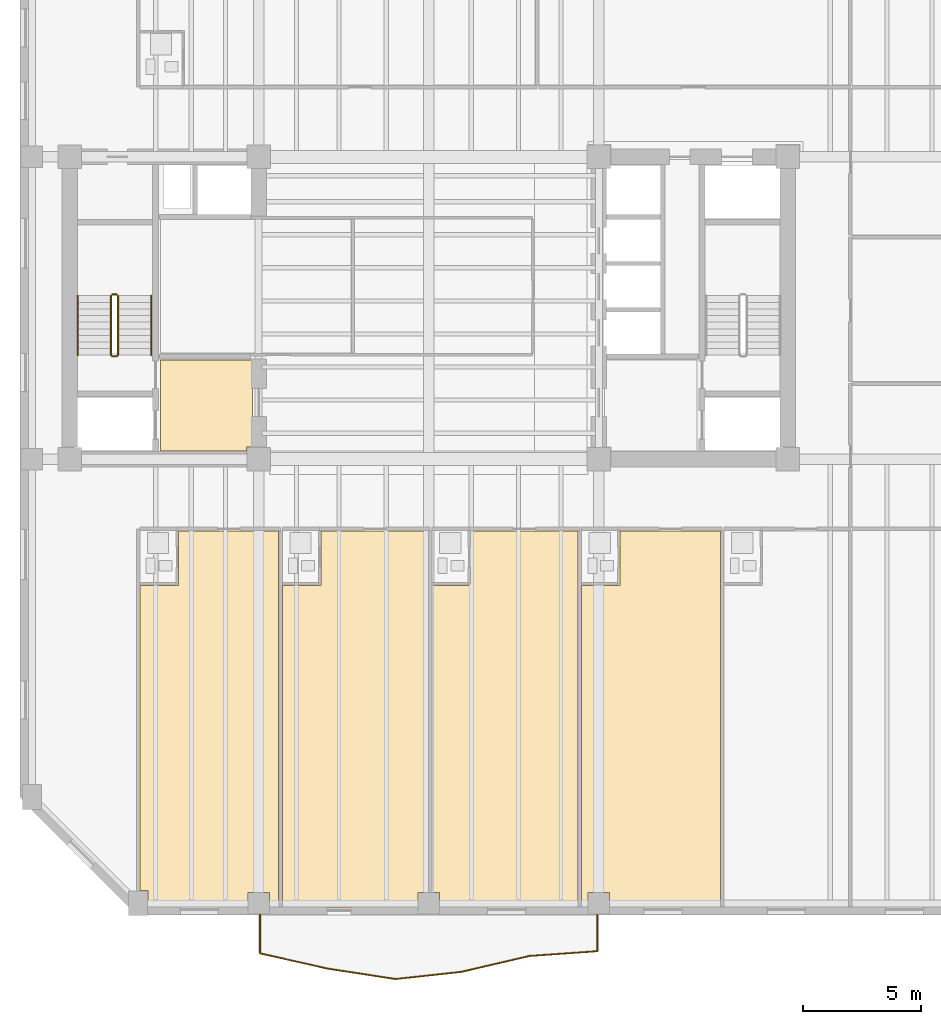
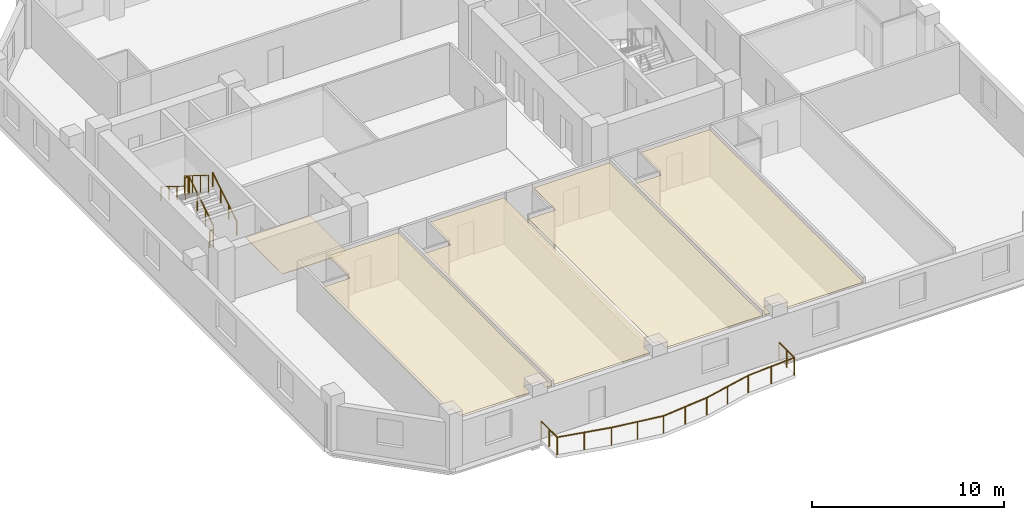
# One storey, part 7 of 10: 7 railings, 5 coverings.
"""IFC4 building model written with IfcOpenShell, lengths in metres."""

from ifc_helpers import new_model, si_unit, direction, frame, origin, origin_2d, place, context, subcontext, project, spatial, polyline, circle, outline, extrude, material, layer, layer_set, type_object, element, save


model = new_model("IFC4")

# Units and contexts
model_context = context("Model", 3, precision=1e-05, world=origin(), true_north=direction((0.0, 1.0)))
body_context = subcontext(model_context, "Body", "Model", "MODEL_VIEW")
ifc_project = project(units=[si_unit("LENGTHUNIT", "METRE"), si_unit("AREAUNIT", "SQUARE_METRE"), si_unit("VOLUMEUNIT", "CUBIC_METRE"), si_unit("PLANEANGLEUNIT", "RADIAN"), si_unit("MASSUNIT", "GRAM", prefix="KILO")], contexts=[model_context])

# Site, building, storey
site_placement = place(None, origin())
site = spatial("IfcSite", under=ifc_project, at=site_placement, CompositionType="ELEMENT")
building_placement = place(site_placement, origin())
building = spatial("IfcBuilding", under=site, at=building_placement, Name="Kranthara Brick Stack", CompositionType="ELEMENT")
storey_placement = place(building_placement, frame((0.0, 0.0, 151.800048828125)))
storey = spatial("IfcBuildingStorey", under=building, at=storey_placement, Name="L38", CompositionType="ELEMENT", Elevation=151.800048828125)

# Coverings
ifc_material_1 = material(Name="Perforated mineral-fibre acoustic ceiling tile", Category="other")
ifc_layer_1 = layer(ifc_material_1, 0.02490234375)
ifc_layer_set_1 = layer_set([ifc_layer_1], Name="Perforated mineral-fibre acoustic ceiling tile")
covering_type_1 = type_object("IfcCoveringType", Name="COV-CEIL-ACOUSTIC", PredefinedType="CEILING", material=ifc_layer_set_1)
covering_1_placement = place(storey_placement, frame((0.0, 0.0, 2.929931640625)))
element("IfcCovering", 1, at=covering_1_placement, inside=storey, type_object=covering_type_1, Name="L38 Room L38-01 Corner Junior Suite Acoustic Ceiling", PredefinedType="CEILING", context=body_context, shape_type="SweptSolid", body=[
    extrude(outline(polyline([(17.409912109375, 15.4599609375), (17.409912109375, 17.77001953125), (21.64990234375, 17.77001953125), (21.64990234375, 1.800048828125), (21.260009765625, 1.800048828125), (21.260009765625, 2.4599609375), (20.340087890625, 2.4599609375), (20.340087890625, 1.800048828125), (16.110107421875, 1.800048828125), (16.110107421875, 2.534912109375), (15.780029296875, 2.534912109375), (15.780029296875, 15.4599609375), (17.409912109375, 15.4599609375)])), origin(), (0.0, 0.0, 1.0), 0.02490234375),
])
covering_2_placement = place(storey_placement, frame((0.0, 0.0, 2.929931640625)))
element("IfcCovering", 2, at=covering_2_placement, inside=storey, type_object=covering_type_1, Name="L38 Room L38-02 Corner Junior Suite Acoustic Ceiling", PredefinedType="CEILING", context=body_context, shape_type="SweptSolid", body=[
    extrude(outline(polyline([(21.81005859375, 1.800048828125), (21.81005859375, 15.4599609375), (23.43994140625, 15.4599609375), (23.43994140625, 17.77001953125), (27.98095703125, 17.77001953125), (27.98095703125, 2.4599609375), (27.5400390625, 2.4599609375), (27.5400390625, 1.800048828125), (21.81005859375, 1.800048828125)])), origin(), (0.0, 0.0, 1.0), 0.02490234375),
])
covering_3_placement = place(storey_placement, frame((0.0, 0.0, 2.929931640625)))
element("IfcCovering", 3, at=covering_3_placement, inside=storey, type_object=covering_type_1, Name="L38 Room L38-03 Corner Junior Suite Acoustic Ceiling", PredefinedType="CEILING", context=body_context, shape_type="SweptSolid", body=[
    extrude(outline(polyline([(28.14111328125, 15.4599609375), (29.77099609375, 15.4599609375), (29.77099609375, 17.77001953125), (34.31298828125, 17.77001953125), (34.31298828125, 1.800048828125), (28.4599609375, 1.800048828125), (28.4599609375, 2.4599609375), (28.14111328125, 2.4599609375), (28.14111328125, 15.4599609375)])), origin(), (0.0, 0.0, 1.0), 0.02490234375),
])
covering_4_placement = place(storey_placement, frame((0.0, 0.0, 2.929931640625)))
element("IfcCovering", 4, at=covering_4_placement, inside=storey, type_object=covering_type_1, Name="L38 Room L38-04 Corner Junior Suite Acoustic Ceiling", PredefinedType="CEILING", context=body_context, shape_type="SweptSolid", body=[
    extrude(outline(polyline([(34.472900390625, 1.800048828125), (34.472900390625, 15.4599609375), (36.10302734375, 15.4599609375), (36.10302734375, 17.77001953125), (40.343017578125, 17.77001953125), (40.343017578125, 1.800048828125), (35.659912109375, 1.800048828125), (35.659912109375, 2.4599609375), (34.739990234375, 2.4599609375), (34.739990234375, 1.800048828125), (34.472900390625, 1.800048828125)])), origin(), (0.0, 0.0, 1.0), 0.02490234375),
])
ifc_material_2 = material(Name="Honed terrazzo and porcelain floor finish", Category="stone")
ifc_layer_2 = layer(ifc_material_2, 0.030029296875)
ifc_layer_set_2 = layer_set([ifc_layer_2], Name="Honed terrazzo and porcelain floor finish")
covering_type_2 = type_object("IfcCoveringType", Name="COV-FLOR-STONE", PredefinedType="FLOORING", material=ifc_layer_set_2)
covering_5_placement = place(storey_placement, origin())
element("IfcCovering", 5, at=covering_5_placement, inside=storey, type_object=covering_type_2, Name="L38 Lift Lobby Stone Flooring", PredefinedType="FLOORING", context=body_context, shape_type="SweptSolid", body=[
    extrude(outline(polyline([(16.64990234375, 21.14990234375), (16.64990234375, 25.0), (20.550048828125, 25.0), (20.550048828125, 21.31005859375), (20.2900390625, 21.31005859375), (20.2900390625, 21.14990234375), (16.64990234375, 21.14990234375)])), origin(), (0.0, 0.0, 1.0), 0.030029296875),
])

# Railings
ifc_material_3 = material(Name="Bronze anodised aluminium and laminated glass balustrade", Category="aluminium")
railing_type_1 = type_object("IfcRailingType", Name="RL-BALC-1120", PredefinedType="BALUSTRADE", material=ifc_material_3)
railing_1_placement = place(storey_placement, frame((35.139892578125, 1.56005859375, 0.0)))
element("IfcRailing", 6, at=railing_1_placement, inside=storey, type_object=railing_type_1, Name="L38 South Rippling Balcony Balustrade", PredefinedType="BALUSTRADE", context=body_context, shape_type="SweptSolid", body=[
    extrude(circle(Radius=0.02392578125, at=origin_2d()), frame((0.0, 0.0, 1.09619140625), z_axis=(0.0, -1.0, 0.0), x_axis=(1.0, 0.0, 0.0)), (0.0, 0.0, 1.0), 1.587646484375),
    extrude(circle(Radius=0.02392578125, at=origin_2d()), frame((0.0, -1.587646484375, 1.09619140625), z_axis=(-0.997527765398, -0.070273446342, 0.0), x_axis=(0.070273446342, -0.997527765398, 0.0)), (0.0, 0.0, 1.0), 2.886962890625),
    extrude(circle(Radius=0.02392578125, at=origin_2d()), frame((-2.8798828125, -1.79052734375, 1.09619140625), z_axis=(-0.973877847603, -0.227072538956, 0.0), x_axis=(0.227072538956, -0.973877847603, 0.0)), (0.0, 0.0, 1.0), 2.947998046875),
    extrude(circle(Radius=0.02392578125, at=origin_2d()), frame((-5.7509765625, -2.4599609375, 1.09619140625), z_axis=(-0.994002270541, -0.109359435625, 0.0), x_axis=(0.109359435625, -0.994002270541, 0.0)), (0.0, 0.0, 1.0), 2.799560546875),
    extrude(circle(Radius=0.02392578125, at=origin_2d()), frame((-8.53369140625, -2.76611328125, 1.09619140625), z_axis=(-0.988545236826, 0.15092486458, 0.0), x_axis=(-0.15092486458, -0.988545236826, 0.0)), (0.0, 0.0, 1.0), 2.900390625),
    extrude(circle(Radius=0.02392578125, at=origin_2d()), frame((-11.40087890625, -2.328369140625, 1.09619140625), z_axis=(-0.97547137921, 0.220126300888, 0.0), x_axis=(-0.220126300888, -0.97547137921, 0.0)), (0.0, 0.0, 1.0), 2.951416015625),
    extrude(circle(Radius=0.02392578125, at=origin_2d()), frame((-14.27978515625, -1.6787109375, 1.09619140625), z_axis=(0.0, 1.0, 0.0), x_axis=(-1.0, 0.0, 0.0)), (0.0, 0.0, 1.0), 1.6787109375),
    extrude(circle(Radius=0.02099609375, at=origin_2d()), origin(), (0.0, 0.0, 1.0), 1.072021484375),
    extrude(circle(Radius=0.02099609375, at=origin_2d()), frame((0.0, -0.7939453125, 0.0)), (0.0, 0.0, 1.0), 1.072021484375),
    extrude(circle(Radius=0.02099609375, at=origin_2d()), frame((0.0, -1.587646484375, 0.0)), (0.0, 0.0, 1.0), 1.072021484375),
    extrude(circle(Radius=0.02099609375, at=origin_2d()), frame((-1.43994140625, -1.68896484375, 0.0)), (0.0, 0.0, 1.0), 1.072021484375),
    extrude(circle(Radius=0.02099609375, at=origin_2d()), frame((-2.8798828125, -1.79052734375, 0.0)), (0.0, 0.0, 1.0), 1.072021484375),
    extrude(circle(Radius=0.02099609375, at=origin_2d()), frame((-4.3154296875, -2.125244140625, 0.0)), (0.0, 0.0, 1.0), 1.072021484375),
    extrude(circle(Radius=0.02099609375, at=origin_2d()), frame((-5.7509765625, -2.4599609375, 0.0)), (0.0, 0.0, 1.0), 1.072021484375),
    extrude(circle(Radius=0.02099609375, at=origin_2d()), frame((-7.142333984375, -2.613037109375, 0.0)), (0.0, 0.0, 1.0), 1.072021484375),
    extrude(circle(Radius=0.02099609375, at=origin_2d()), frame((-8.53369140625, -2.76611328125, 0.0)), (0.0, 0.0, 1.0), 1.072021484375),
    extrude(circle(Radius=0.02099609375, at=origin_2d()), frame((-9.96728515625, -2.54736328125, 0.0)), (0.0, 0.0, 1.0), 1.072021484375),
    extrude(circle(Radius=0.02099609375, at=origin_2d()), frame((-11.40087890625, -2.328369140625, 0.0)), (0.0, 0.0, 1.0), 1.072021484375),
    extrude(circle(Radius=0.02099609375, at=origin_2d()), frame((-12.84033203125, -2.00341796875, 0.0)), (0.0, 0.0, 1.0), 1.072021484375),
    extrude(circle(Radius=0.02099609375, at=origin_2d()), frame((-14.27978515625, -1.6787109375, 0.0)), (0.0, 0.0, 1.0), 1.072021484375),
    extrude(circle(Radius=0.02099609375, at=origin_2d()), frame((-14.27978515625, -0.83935546875, 0.0)), (0.0, 0.0, 1.0), 1.072021484375),
    extrude(circle(Radius=0.02099609375, at=origin_2d()), frame((-14.27978515625, 0.0, 0.0)), (0.0, 0.0, 1.0), 1.072021484375),
])
ifc_material_4 = material(Name="Painted galvanized steel stair guardrail", Category="steel")
railing_type_2 = type_object("IfcRailingType", Name="RL-STAIR-GUARD-1100", PredefinedType="GUARDRAIL", material=ifc_material_4)
railing_2_placement = place(storey_placement, frame((14.85009765625, 25.199951171875, 0.175048828125)))
element("IfcRailing", 7, at=railing_2_placement, inside=storey, type_object=railing_type_2, Name="L38 ST01 stair guard 1", PredefinedType="GUARDRAIL", context=body_context, shape_type="SweptSolid", body=[
    extrude(circle(Radius=0.02392578125, at=origin_2d()), frame((0.0, 0.0, 1.076171875), z_axis=(0.0, 0.848007534815, 0.529984170421), x_axis=(-1.0, 0.0, 0.0)), (0.0, 0.0, 1.0), 2.9716796875),
    extrude(circle(Radius=0.02099609375, at=origin_2d()), origin(), (0.0, 0.0, 1.0), 1.052001953125),
    extrude(circle(Radius=0.02099609375, at=origin_2d()), frame((0.0, 0.840087890625, 0.52490234375)), (0.0, 0.0, 1.0), 1.052001953125),
    extrude(circle(Radius=0.02099609375, at=origin_2d()), frame((0.0, 1.679931640625, 1.050048828125)), (0.0, 0.0, 1.0), 1.052001953125),
    extrude(circle(Radius=0.02099609375, at=origin_2d()), frame((0.0, 2.52001953125, 1.574951171875)), (0.0, 0.0, 1.0), 1.052001953125),
])
railing_3_placement = place(storey_placement, frame((14.800048828125, 27.77001953125, 1.75)))
element("IfcRailing", 8, at=railing_3_placement, inside=storey, type_object=railing_type_2, Name="L38 ST01 stair guard 2", PredefinedType="GUARDRAIL", context=body_context, shape_type="SweptSolid", body=[
    extrude(circle(Radius=0.02392578125, at=origin_2d()), frame((0.0, 0.0, 1.076171875), z_axis=(-1.0, 0.0, 0.0), x_axis=(0.0, -1.0, 0.0)), (0.0, 0.0, 1.0), 0.199951171875),
    extrude(circle(Radius=0.02099609375, at=origin_2d()), origin(), (0.0, 0.0, 1.0), 1.052001953125),
    extrude(circle(Radius=0.02099609375, at=origin_2d()), frame((-0.199951171875, 0.0, 0.0)), (0.0, 0.0, 1.0), 1.052001953125),
])
railing_4_placement = place(storey_placement, frame((14.550048828125, 27.719970703125, 1.925048828125)))
element("IfcRailing", 9, at=railing_4_placement, inside=storey, type_object=railing_type_2, Name="L38 ST01 stair guard 3", PredefinedType="GUARDRAIL", context=body_context, shape_type="SweptSolid", body=[
    extrude(circle(Radius=0.02392578125, at=origin_2d()), frame((0.0, 0.0, 1.076171875), z_axis=(0.0, -0.848007534815, 0.529984170421), x_axis=(1.0, 0.0, 0.0)), (0.0, 0.0, 1.0), 2.9716796875),
    extrude(circle(Radius=0.02099609375, at=origin_2d()), origin(), (0.0, 0.0, 1.0), 1.052001953125),
    extrude(circle(Radius=0.02099609375, at=origin_2d()), frame((0.0, -0.840087890625, 0.52490234375)), (0.0, 0.0, 1.0), 1.052001953125),
    extrude(circle(Radius=0.02099609375, at=origin_2d()), frame((0.0, -1.679931640625, 1.050048828125)), (0.0, 0.0, 1.0), 1.052001953125),
    extrude(circle(Radius=0.02099609375, at=origin_2d()), frame((0.0, -2.52001953125, 1.574951171875)), (0.0, 0.0, 1.0), 1.052001953125),
])
railing_5_placement = place(storey_placement, frame((14.800048828125, 25.14990234375, 0.0)))
element("IfcRailing", 10, at=railing_5_placement, inside=storey, type_object=railing_type_2, Name="L38 ST01 stair guard 4", PredefinedType="GUARDRAIL", context=body_context, shape_type="SweptSolid", body=[
    extrude(circle(Radius=0.02392578125, at=origin_2d()), frame((0.0, 0.0, 1.076171875), z_axis=(-1.0, 0.0, 0.0), x_axis=(0.0, -1.0, 0.0)), (0.0, 0.0, 1.0), 0.199951171875),
    extrude(circle(Radius=0.02099609375, at=origin_2d()), origin(), (0.0, 0.0, 1.0), 1.052001953125),
    extrude(circle(Radius=0.02099609375, at=origin_2d()), frame((-0.199951171875, 0.0, 0.0)), (0.0, 0.0, 1.0), 1.052001953125),
])
ifc_material_5 = material(Name="Brushed stainless steel tubular handrail", Category="steel")
railing_type_3 = type_object("IfcRailingType", Name="RL-STAIR-HAND-900", PredefinedType="HANDRAIL", material=ifc_material_5)
railing_6_placement = place(storey_placement, frame((16.25, 25.199951171875, 0.175048828125)))
element("IfcRailing", 11, at=railing_6_placement, inside=storey, type_object=railing_type_3, Name="L38 ST01 stair handrail 1", PredefinedType="HANDRAIL", context=body_context, shape_type="SweptSolid", body=[
    extrude(circle(Radius=0.02392578125, at=origin_2d()), frame((0.0, 0.0, 0.8759765625), z_axis=(0.0, 0.848007534815, 0.529984170421), x_axis=(-1.0, 0.0, 0.0)), (0.0, 0.0, 1.0), 2.9716796875),
    extrude(circle(Radius=0.02099609375, at=origin_2d()), origin(), (0.0, 0.0, 1.0), 0.851806640625),
    extrude(circle(Radius=0.02099609375, at=origin_2d()), frame((0.0, 0.840087890625, 0.52490234375)), (0.0, 0.0, 1.0), 0.851806640625),
    extrude(circle(Radius=0.02099609375, at=origin_2d()), frame((0.0, 1.679931640625, 1.050048828125)), (0.0, 0.0, 1.0), 0.851806640625),
    extrude(circle(Radius=0.02099609375, at=origin_2d()), frame((0.0, 2.52001953125, 1.574951171875)), (0.0, 0.0, 1.0), 0.851806640625),
])
railing_7_placement = place(storey_placement, frame((13.14990234375, 27.719970703125, 1.925048828125)))
element("IfcRailing", 12, at=railing_7_placement, inside=storey, type_object=railing_type_3, Name="L38 ST01 stair handrail 2", PredefinedType="HANDRAIL", context=body_context, shape_type="SweptSolid", body=[
    extrude(circle(Radius=0.02392578125, at=origin_2d()), frame((0.0, 0.0, 0.8759765625), z_axis=(0.0, -0.848007534815, 0.529984170421), x_axis=(1.0, 0.0, 0.0)), (0.0, 0.0, 1.0), 2.9716796875),
    extrude(circle(Radius=0.02099609375, at=origin_2d()), origin(), (0.0, 0.0, 1.0), 0.851806640625),
    extrude(circle(Radius=0.02099609375, at=origin_2d()), frame((0.0, -0.840087890625, 0.52490234375)), (0.0, 0.0, 1.0), 0.851806640625),
    extrude(circle(Radius=0.02099609375, at=origin_2d()), frame((0.0, -1.679931640625, 1.050048828125)), (0.0, 0.0, 1.0), 0.851806640625),
    extrude(circle(Radius=0.02099609375, at=origin_2d()), frame((0.0, -2.52001953125, 1.574951171875)), (0.0, 0.0, 1.0), 0.851806640625),
])

save(model, "model.ifc")
